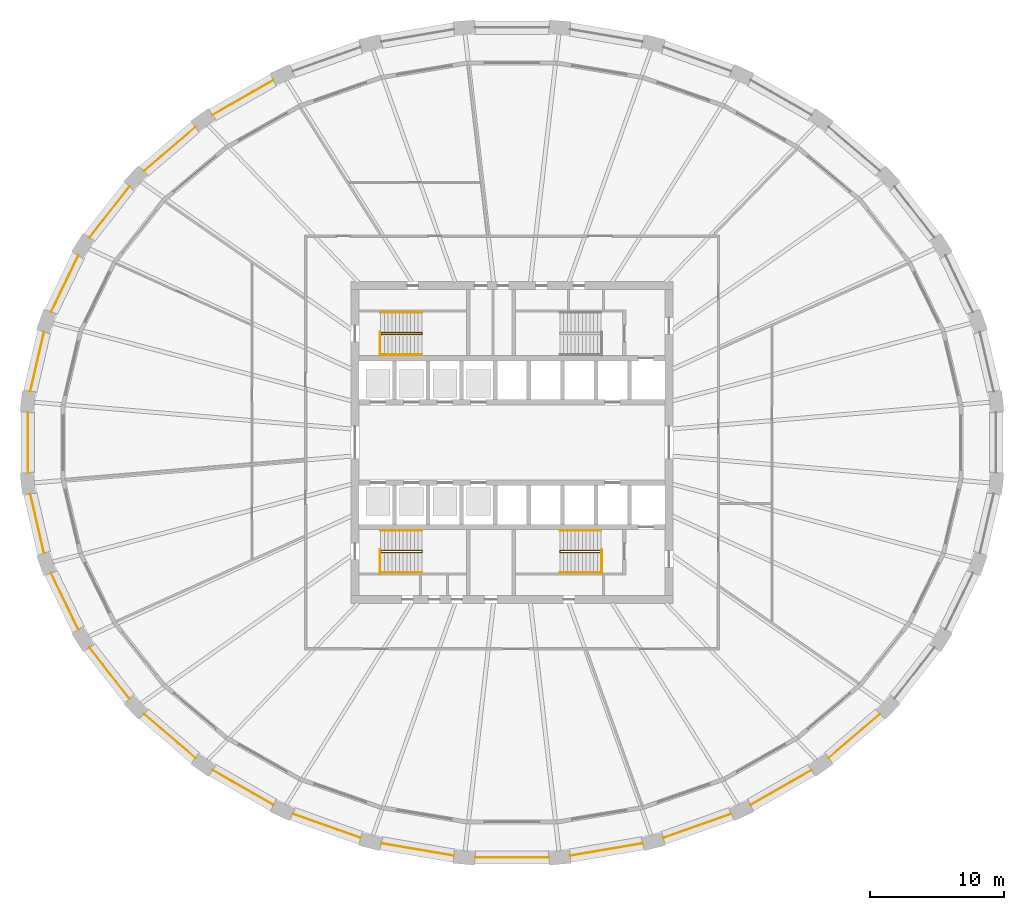
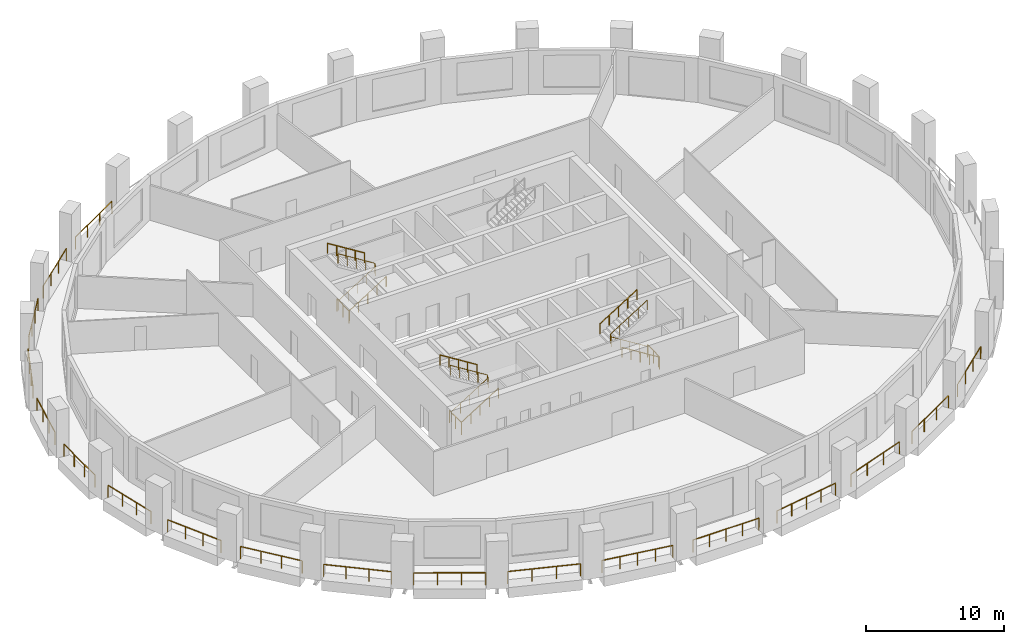
# One storey, part 8 of 10: 30 railings.
"""IFC4 building model written with IfcOpenShell, lengths in metres."""

from ifc_helpers import new_model, si_unit, direction, frame, origin, origin_2d, place, context, subcontext, project, spatial, circle, extrude, material, type_object, element, save


model = new_model("IFC4")

# Units and contexts
model_context = context("Model", 3, precision=1e-05, world=origin(), true_north=direction((0.0, 1.0)))
body_context = subcontext(model_context, "Body", "Model", "MODEL_VIEW")
ifc_project = project(units=[si_unit("LENGTHUNIT", "METRE"), si_unit("AREAUNIT", "SQUARE_METRE"), si_unit("VOLUMEUNIT", "CUBIC_METRE"), si_unit("PLANEANGLEUNIT", "RADIAN"), si_unit("MASSUNIT", "GRAM", prefix="KILO")], contexts=[model_context])

# Site, building, storey
site_placement = place(None, origin())
site = spatial("IfcSite", under=ifc_project, at=site_placement, CompositionType="ELEMENT")
building_placement = place(site_placement, origin())
building = spatial("IfcBuilding", under=site, at=building_placement, Name="Halqa Exchange Tower", CompositionType="ELEMENT")
storey_placement = place(building_placement, frame((0.0, 0.0, 90.699951171875)))
storey = spatial("IfcBuildingStorey", under=building, at=storey_placement, Name="L20", CompositionType="ELEMENT", Elevation=90.699951171875)

# Railings
ifc_material = material(Name="Stainless steel", Category="steel")
railing_type_1 = type_object("IfcRailingType", Name="Guard 1100 stainless steel", PredefinedType="GUARDRAIL", material=ifc_material)
railing_1_placement = place(storey_placement, frame((-17.801025390625, 27.034912109375, 0.0)))
element("IfcRailing", 1, at=railing_1_placement, inside=storey, type_object=railing_type_1, Name="Loggia guard 11", PredefinedType="GUARDRAIL", context=body_context, shape_type="SweptSolid", body=[
    extrude(circle(Radius=0.02392578125, at=origin_2d()), frame((0.0, 0.0, 1.076171875), z_axis=(-0.867755983437, -0.496990496096, 0.0), x_axis=(0.496990496096, -0.867755983437, 0.0)), (0.0, 0.0, 1.0), 5.216552734375),
    extrude(circle(Radius=0.02099609375, at=origin_2d()), origin(), (0.0, 0.0, 1.0), 1.052001953125),
    extrude(circle(Radius=0.02099609375, at=origin_2d()), frame((-1.5087890625, -0.8642578125, 0.0)), (0.0, 0.0, 1.0), 1.052001953125),
    extrude(circle(Radius=0.02099609375, at=origin_2d()), frame((-3.017822265625, -1.728271484375, 0.0)), (0.0, 0.0, 1.0), 1.052001953125),
    extrude(circle(Radius=0.02099609375, at=origin_2d()), frame((-4.526611328125, -2.592529296875, 0.0)), (0.0, 0.0, 1.0), 1.052001953125),
])
railing_2_placement = place(storey_placement, frame((-23.629150390625, 23.524169921875, 0.0)))
element("IfcRailing", 2, at=railing_2_placement, inside=storey, type_object=railing_type_1, Name="Loggia guard 12", PredefinedType="GUARDRAIL", context=body_context, shape_type="SweptSolid", body=[
    extrude(circle(Radius=0.02392578125, at=origin_2d()), frame((0.0, 0.0, 1.076171875), z_axis=(-0.759263460736, -0.650783371938, 0.0), x_axis=(0.650783371938, -0.759263460736, 0.0)), (0.0, 0.0, 1.0), 5.025390625),
    extrude(circle(Radius=0.02099609375, at=origin_2d()), origin(), (0.0, 0.0, 1.0), 1.052001953125),
    extrude(circle(Radius=0.02099609375, at=origin_2d()), frame((-1.27197265625, -1.090087890625, 0.0)), (0.0, 0.0, 1.0), 1.052001953125),
    extrude(circle(Radius=0.02099609375, at=origin_2d()), frame((-2.543701171875, -2.180419921875, 0.0)), (0.0, 0.0, 1.0), 1.052001953125),
    extrude(circle(Radius=0.02099609375, at=origin_2d()), frame((-3.815673828125, -3.2705078125, 0.0)), (0.0, 0.0, 1.0), 1.052001953125),
])
railing_3_placement = place(storey_placement, frame((-28.5439453125, 19.10205078125, 0.0)))
element("IfcRailing", 3, at=railing_3_placement, inside=storey, type_object=railing_type_1, Name="Loggia guard 13", PredefinedType="GUARDRAIL", context=body_context, shape_type="SweptSolid", body=[
    extrude(circle(Radius=0.02392578125, at=origin_2d()), frame((0.0, 0.0, 1.076171875), z_axis=(-0.614804814525, -0.788679301133, 0.0), x_axis=(0.788679301133, -0.614804814525, 0.0)), (0.0, 0.0, 1.0), 4.828857421875),
    extrude(circle(Radius=0.02099609375, at=origin_2d()), origin(), (0.0, 0.0, 1.0), 1.052001953125),
    extrude(circle(Radius=0.02099609375, at=origin_2d()), frame((-0.989501953125, -1.26953125, 0.0)), (0.0, 0.0, 1.0), 1.052001953125),
    extrude(circle(Radius=0.02099609375, at=origin_2d()), frame((-1.979248046875, -2.538818359375, 0.0)), (0.0, 0.0, 1.0), 1.052001953125),
    extrude(circle(Radius=0.02099609375, at=origin_2d()), frame((-2.96875, -3.808349609375, 0.0)), (0.0, 0.0, 1.0), 1.052001953125),
])
railing_4_placement = place(storey_placement, frame((-32.3525390625, 13.942626953125, 0.0)))
element("IfcRailing", 4, at=railing_4_placement, inside=storey, type_object=railing_type_1, Name="Loggia guard 14", PredefinedType="GUARDRAIL", context=body_context, shape_type="SweptSolid", body=[
    extrude(circle(Radius=0.02392578125, at=origin_2d()), frame((0.0, 0.0, 1.076171875), z_axis=(-0.435136078438, -0.900364700131, 0.0), x_axis=(0.900364700131, -0.435136078438, 0.0)), (0.0, 0.0, 1.0), 4.65673828125),
    extrude(circle(Radius=0.02099609375, at=origin_2d()), origin(), (0.0, 0.0, 1.0), 1.052001953125),
    extrude(circle(Radius=0.02099609375, at=origin_2d()), frame((-0.675537109375, -1.397705078125, 0.0)), (0.0, 0.0, 1.0), 1.052001953125),
    extrude(circle(Radius=0.02099609375, at=origin_2d()), frame((-1.350830078125, -2.795166015625, 0.0)), (0.0, 0.0, 1.0), 1.052001953125),
    extrude(circle(Radius=0.02099609375, at=origin_2d()), frame((-2.0263671875, -4.19287109375, 0.0)), (0.0, 0.0, 1.0), 1.052001953125),
])
railing_5_placement = place(storey_placement, frame((-34.90771484375, 8.25, 0.0)))
element("IfcRailing", 5, at=railing_5_placement, inside=storey, type_object=railing_type_1, Name="Loggia guard 15", PredefinedType="GUARDRAIL", context=body_context, shape_type="SweptSolid", body=[
    extrude(circle(Radius=0.02392578125, at=origin_2d()), frame((0.0, 0.0, 1.076171875), z_axis=(-0.226049512148, -0.974115813473, 0.0), x_axis=(0.974115813473, -0.226049512148, 0.0)), (0.0, 0.0, 1.0), 4.539306640625),
    extrude(circle(Radius=0.02099609375, at=origin_2d()), origin(), (0.0, 0.0, 1.0), 1.052001953125),
    extrude(circle(Radius=0.02099609375, at=origin_2d()), frame((-0.342041015625, -1.473876953125, 0.0)), (0.0, 0.0, 1.0), 1.052001953125),
    extrude(circle(Radius=0.02099609375, at=origin_2d()), frame((-0.68408203125, -2.947998046875, 0.0)), (0.0, 0.0, 1.0), 1.052001953125),
    extrude(circle(Radius=0.02099609375, at=origin_2d()), frame((-1.026123046875, -4.421875, 0.0)), (0.0, 0.0, 1.0), 1.052001953125),
])
railing_6_placement = place(storey_placement, frame((-36.11474609375, 2.248779296875, 0.0)))
element("IfcRailing", 6, at=railing_6_placement, inside=storey, type_object=railing_type_1, Name="Loggia guard 16", PredefinedType="GUARDRAIL", context=body_context, shape_type="SweptSolid", body=[
    extrude(circle(Radius=0.02392578125, at=origin_2d()), frame((0.0, 0.0, 1.076171875), z_axis=(0.0, -1.0, 0.0), x_axis=(1.0, 0.0, 0.0)), (0.0, 0.0, 1.0), 4.49755859375),
    extrude(circle(Radius=0.02099609375, at=origin_2d()), origin(), (0.0, 0.0, 1.0), 1.052001953125),
    extrude(circle(Radius=0.02099609375, at=origin_2d()), frame((0.0, -1.499267578125, 0.0)), (0.0, 0.0, 1.0), 1.052001953125),
    extrude(circle(Radius=0.02099609375, at=origin_2d()), frame((0.0, -2.998291015625, 0.0)), (0.0, 0.0, 1.0), 1.052001953125),
    extrude(circle(Radius=0.02099609375, at=origin_2d()), frame((0.0, -4.49755859375, 0.0)), (0.0, 0.0, 1.0), 1.052001953125),
])
railing_7_placement = place(storey_placement, frame((-35.933837890625, -3.828125, 0.0)))
element("IfcRailing", 7, at=railing_7_placement, inside=storey, type_object=railing_type_1, Name="Loggia guard 17", PredefinedType="GUARDRAIL", context=body_context, shape_type="SweptSolid", body=[
    extrude(circle(Radius=0.02392578125, at=origin_2d()), frame((0.0, 0.0, 1.076171875), z_axis=(0.226049512148, -0.974115813473, 0.0), x_axis=(0.974115813473, 0.226049512148, 0.0)), (0.0, 0.0, 1.0), 4.539306640625),
    extrude(circle(Radius=0.02099609375, at=origin_2d()), origin(), (0.0, 0.0, 1.0), 1.052001953125),
    extrude(circle(Radius=0.02099609375, at=origin_2d()), frame((0.342041015625, -1.473876953125, 0.0)), (0.0, 0.0, 1.0), 1.052001953125),
    extrude(circle(Radius=0.02099609375, at=origin_2d()), frame((0.68408203125, -2.947998046875, 0.0)), (0.0, 0.0, 1.0), 1.052001953125),
    extrude(circle(Radius=0.02099609375, at=origin_2d()), frame((1.026123046875, -4.421875, 0.0)), (0.0, 0.0, 1.0), 1.052001953125),
])
railing_8_placement = place(storey_placement, frame((-34.37890625, -9.749755859375, 0.0)))
element("IfcRailing", 8, at=railing_8_placement, inside=storey, type_object=railing_type_1, Name="Loggia guard 18", PredefinedType="GUARDRAIL", context=body_context, shape_type="SweptSolid", body=[
    extrude(circle(Radius=0.02392578125, at=origin_2d()), frame((0.0, 0.0, 1.076171875), z_axis=(0.435136078438, -0.900364700131, 0.0), x_axis=(0.900364700131, 0.435136078438, 0.0)), (0.0, 0.0, 1.0), 4.65673828125),
    extrude(circle(Radius=0.02099609375, at=origin_2d()), origin(), (0.0, 0.0, 1.0), 1.052001953125),
    extrude(circle(Radius=0.02099609375, at=origin_2d()), frame((0.675537109375, -1.397705078125, 0.0)), (0.0, 0.0, 1.0), 1.052001953125),
    extrude(circle(Radius=0.02099609375, at=origin_2d()), frame((1.350830078125, -2.795166015625, 0.0)), (0.0, 0.0, 1.0), 1.052001953125),
    extrude(circle(Radius=0.02099609375, at=origin_2d()), frame((2.0263671875, -4.19287109375, 0.0)), (0.0, 0.0, 1.0), 1.052001953125),
])
railing_9_placement = place(storey_placement, frame((-31.5126953125, -15.293701171875, 0.0)))
element("IfcRailing", 9, at=railing_9_placement, inside=storey, type_object=railing_type_1, Name="Loggia guard 19", PredefinedType="GUARDRAIL", context=body_context, shape_type="SweptSolid", body=[
    extrude(circle(Radius=0.02392578125, at=origin_2d()), frame((0.0, 0.0, 1.076171875), z_axis=(0.614804814525, -0.788679301133, 0.0), x_axis=(0.788679301133, 0.614804814525, 0.0)), (0.0, 0.0, 1.0), 4.828857421875),
    extrude(circle(Radius=0.02099609375, at=origin_2d()), origin(), (0.0, 0.0, 1.0), 1.052001953125),
    extrude(circle(Radius=0.02099609375, at=origin_2d()), frame((0.989501953125, -1.26953125, 0.0)), (0.0, 0.0, 1.0), 1.052001953125),
    extrude(circle(Radius=0.02099609375, at=origin_2d()), frame((1.979248046875, -2.538818359375, 0.0)), (0.0, 0.0, 1.0), 1.052001953125),
    extrude(circle(Radius=0.02099609375, at=origin_2d()), frame((2.96875, -3.808349609375, 0.0)), (0.0, 0.0, 1.0), 1.052001953125),
])
railing_10_placement = place(storey_placement, frame((-27.44482421875, -20.253662109375, 0.0)))
element("IfcRailing", 10, at=railing_10_placement, inside=storey, type_object=railing_type_1, Name="Loggia guard 20", PredefinedType="GUARDRAIL", context=body_context, shape_type="SweptSolid", body=[
    extrude(circle(Radius=0.02392578125, at=origin_2d()), frame((0.0, 0.0, 1.076171875), z_axis=(0.759263460736, -0.650783371938, 0.0), x_axis=(0.650783371938, 0.759263460736, 0.0)), (0.0, 0.0, 1.0), 5.025390625),
    extrude(circle(Radius=0.02099609375, at=origin_2d()), origin(), (0.0, 0.0, 1.0), 1.052001953125),
    extrude(circle(Radius=0.02099609375, at=origin_2d()), frame((1.27197265625, -1.090087890625, 0.0)), (0.0, 0.0, 1.0), 1.052001953125),
    extrude(circle(Radius=0.02099609375, at=origin_2d()), frame((2.543701171875, -2.180419921875, 0.0)), (0.0, 0.0, 1.0), 1.052001953125),
    extrude(circle(Radius=0.02099609375, at=origin_2d()), frame((3.815673828125, -3.2705078125, 0.0)), (0.0, 0.0, 1.0), 1.052001953125),
])
railing_11_placement = place(storey_placement, frame((-22.32763671875, -24.4423828125, 0.0)))
element("IfcRailing", 11, at=railing_11_placement, inside=storey, type_object=railing_type_1, Name="Loggia guard 21", PredefinedType="GUARDRAIL", context=body_context, shape_type="SweptSolid", body=[
    extrude(circle(Radius=0.02392578125, at=origin_2d()), frame((0.0, 0.0, 1.076171875), z_axis=(0.867755983437, -0.496990496096, 0.0), x_axis=(0.496990496096, 0.867755983437, 0.0)), (0.0, 0.0, 1.0), 5.216552734375),
    extrude(circle(Radius=0.02099609375, at=origin_2d()), origin(), (0.0, 0.0, 1.0), 1.052001953125),
    extrude(circle(Radius=0.02099609375, at=origin_2d()), frame((1.5087890625, -0.8642578125, 0.0)), (0.0, 0.0, 1.0), 1.052001953125),
    extrude(circle(Radius=0.02099609375, at=origin_2d()), frame((3.017822265625, -1.728271484375, 0.0)), (0.0, 0.0, 1.0), 1.052001953125),
    extrude(circle(Radius=0.02099609375, at=origin_2d()), frame((4.526611328125, -2.592529296875, 0.0)), (0.0, 0.0, 1.0), 1.052001953125),
])
railing_12_placement = place(storey_placement, frame((-16.352783203125, -27.7001953125, 0.0)))
element("IfcRailing", 12, at=railing_12_placement, inside=storey, type_object=railing_type_1, Name="Loggia guard 22", PredefinedType="GUARDRAIL", context=body_context, shape_type="SweptSolid", body=[
    extrude(circle(Radius=0.02392578125, at=origin_2d()), frame((0.0, 0.0, 1.076171875), z_axis=(0.942372313915, -0.334566020341, 0.0), x_axis=(0.334566020341, 0.942372313915, 0.0)), (0.0, 0.0, 1.0), 5.37451171875),
    extrude(circle(Radius=0.02099609375, at=origin_2d()), origin(), (0.0, 0.0, 1.0), 1.052001953125),
    extrude(circle(Radius=0.02099609375, at=origin_2d()), frame((1.688232421875, -0.599365234375, 0.0)), (0.0, 0.0, 1.0), 1.052001953125),
    extrude(circle(Radius=0.02099609375, at=origin_2d()), frame((3.37646484375, -1.19873046875, 0.0)), (0.0, 0.0, 1.0), 1.052001953125),
    extrude(circle(Radius=0.02099609375, at=origin_2d()), frame((5.064697265625, -1.798095703125, 0.0)), (0.0, 0.0, 1.0), 1.052001953125),
])
railing_13_placement = place(storey_placement, frame((-9.74560546875, -29.900390625, 0.0)))
element("IfcRailing", 13, at=railing_13_placement, inside=storey, type_object=railing_type_1, Name="Loggia guard 23", PredefinedType="GUARDRAIL", context=body_context, shape_type="SweptSolid", body=[
    extrude(circle(Radius=0.02392578125, at=origin_2d()), frame((0.0, 0.0, 1.076171875), z_axis=(0.985775171727, -0.168069363079, 0.0), x_axis=(0.168069363079, 0.985775171727, 0.0)), (0.0, 0.0, 1.0), 5.477783203125),
    extrude(circle(Radius=0.02099609375, at=origin_2d()), origin(), (0.0, 0.0, 1.0), 1.052001953125),
    extrude(circle(Radius=0.02099609375, at=origin_2d()), frame((1.35009765625, -0.230224609375, 0.0)), (0.0, 0.0, 1.0), 1.052001953125),
    extrude(circle(Radius=0.02099609375, at=origin_2d()), frame((2.699951171875, -0.46044921875, 0.0)), (0.0, 0.0, 1.0), 1.052001953125),
    extrude(circle(Radius=0.02099609375, at=origin_2d()), frame((4.0498046875, -0.6904296875, 0.0)), (0.0, 0.0, 1.0), 1.052001953125),
    extrude(circle(Radius=0.02099609375, at=origin_2d()), frame((5.39990234375, -0.920654296875, 0.0)), (0.0, 0.0, 1.0), 1.052001953125),
])
railing_14_placement = place(storey_placement, frame((-2.757080078125, -30.95556640625, 0.0)))
element("IfcRailing", 14, at=railing_14_placement, inside=storey, type_object=railing_type_1, Name="Loggia guard 24", PredefinedType="GUARDRAIL", context=body_context, shape_type="SweptSolid", body=[
    extrude(circle(Radius=0.02392578125, at=origin_2d()), frame((0.0, 0.0, 1.076171875), z_axis=(1.0, 0.0, 0.0), x_axis=(0.0, 1.0, 0.0)), (0.0, 0.0, 1.0), 5.51416015625),
    extrude(circle(Radius=0.02099609375, at=origin_2d()), origin(), (0.0, 0.0, 1.0), 1.052001953125),
    extrude(circle(Radius=0.02099609375, at=origin_2d()), frame((1.37841796875, 0.0, 0.0)), (0.0, 0.0, 1.0), 1.052001953125),
    extrude(circle(Radius=0.02099609375, at=origin_2d()), frame((2.757080078125, 0.0, 0.0)), (0.0, 0.0, 1.0), 1.052001953125),
    extrude(circle(Radius=0.02099609375, at=origin_2d()), frame((4.1357421875, 0.0, 0.0)), (0.0, 0.0, 1.0), 1.052001953125),
    extrude(circle(Radius=0.02099609375, at=origin_2d()), frame((5.51416015625, 0.0, 0.0)), (0.0, 0.0, 1.0), 1.052001953125),
])
railing_15_placement = place(storey_placement, frame((4.345703125, -30.821044921875, 0.0)))
element("IfcRailing", 15, at=railing_15_placement, inside=storey, type_object=railing_type_1, Name="Loggia guard 25", PredefinedType="GUARDRAIL", context=body_context, shape_type="SweptSolid", body=[
    extrude(circle(Radius=0.02392578125, at=origin_2d()), frame((0.0, 0.0, 1.076171875), z_axis=(0.985775171727, 0.168069363079, 0.0), x_axis=(-0.168069363079, 0.985775171727, 0.0)), (0.0, 0.0, 1.0), 5.477783203125),
    extrude(circle(Radius=0.02099609375, at=origin_2d()), origin(), (0.0, 0.0, 1.0), 1.052001953125),
    extrude(circle(Radius=0.02099609375, at=origin_2d()), frame((1.35009765625, 0.230224609375, 0.0)), (0.0, 0.0, 1.0), 1.052001953125),
    extrude(circle(Radius=0.02099609375, at=origin_2d()), frame((2.699951171875, 0.46044921875, 0.0)), (0.0, 0.0, 1.0), 1.052001953125),
    extrude(circle(Radius=0.02099609375, at=origin_2d()), frame((4.0498046875, 0.6904296875, 0.0)), (0.0, 0.0, 1.0), 1.052001953125),
    extrude(circle(Radius=0.02099609375, at=origin_2d()), frame((5.39990234375, 0.920654296875, 0.0)), (0.0, 0.0, 1.0), 1.052001953125),
])
railing_16_placement = place(storey_placement, frame((11.2880859375, -29.498291015625, 0.0)))
element("IfcRailing", 16, at=railing_16_placement, inside=storey, type_object=railing_type_1, Name="Loggia guard 26", PredefinedType="GUARDRAIL", context=body_context, shape_type="SweptSolid", body=[
    extrude(circle(Radius=0.02392578125, at=origin_2d()), frame((0.0, 0.0, 1.076171875), z_axis=(0.942372313915, 0.334566020341, 0.0), x_axis=(-0.334566020341, 0.942372313915, 0.0)), (0.0, 0.0, 1.0), 5.37451171875),
    extrude(circle(Radius=0.02099609375, at=origin_2d()), origin(), (0.0, 0.0, 1.0), 1.052001953125),
    extrude(circle(Radius=0.02099609375, at=origin_2d()), frame((1.688232421875, 0.599365234375, 0.0)), (0.0, 0.0, 1.0), 1.052001953125),
    extrude(circle(Radius=0.02099609375, at=origin_2d()), frame((3.37646484375, 1.19873046875, 0.0)), (0.0, 0.0, 1.0), 1.052001953125),
    extrude(circle(Radius=0.02099609375, at=origin_2d()), frame((5.064697265625, 1.798095703125, 0.0)), (0.0, 0.0, 1.0), 1.052001953125),
])
railing_17_placement = place(storey_placement, frame((17.801025390625, -27.034912109375, 0.0)))
element("IfcRailing", 17, at=railing_17_placement, inside=storey, type_object=railing_type_1, Name="Loggia guard 27", PredefinedType="GUARDRAIL", context=body_context, shape_type="SweptSolid", body=[
    extrude(circle(Radius=0.02392578125, at=origin_2d()), frame((0.0, 0.0, 1.076171875), z_axis=(0.867755983437, 0.496990496096, 0.0), x_axis=(-0.496990496096, 0.867755983437, 0.0)), (0.0, 0.0, 1.0), 5.216552734375),
    extrude(circle(Radius=0.02099609375, at=origin_2d()), origin(), (0.0, 0.0, 1.0), 1.052001953125),
    extrude(circle(Radius=0.02099609375, at=origin_2d()), frame((1.5087890625, 0.8642578125, 0.0)), (0.0, 0.0, 1.0), 1.052001953125),
    extrude(circle(Radius=0.02099609375, at=origin_2d()), frame((3.017822265625, 1.728271484375, 0.0)), (0.0, 0.0, 1.0), 1.052001953125),
    extrude(circle(Radius=0.02099609375, at=origin_2d()), frame((4.526611328125, 2.592529296875, 0.0)), (0.0, 0.0, 1.0), 1.052001953125),
])
railing_18_placement = place(storey_placement, frame((23.629150390625, -23.524169921875, 0.0)))
element("IfcRailing", 18, at=railing_18_placement, inside=storey, type_object=railing_type_1, Name="Loggia guard 28", PredefinedType="GUARDRAIL", context=body_context, shape_type="SweptSolid", body=[
    extrude(circle(Radius=0.02392578125, at=origin_2d()), frame((0.0, 0.0, 1.076171875), z_axis=(0.759263460736, 0.650783371938, 0.0), x_axis=(-0.650783371938, 0.759263460736, 0.0)), (0.0, 0.0, 1.0), 5.025390625),
    extrude(circle(Radius=0.02099609375, at=origin_2d()), origin(), (0.0, 0.0, 1.0), 1.052001953125),
    extrude(circle(Radius=0.02099609375, at=origin_2d()), frame((1.27197265625, 1.090087890625, 0.0)), (0.0, 0.0, 1.0), 1.052001953125),
    extrude(circle(Radius=0.02099609375, at=origin_2d()), frame((2.543701171875, 2.180419921875, 0.0)), (0.0, 0.0, 1.0), 1.052001953125),
    extrude(circle(Radius=0.02099609375, at=origin_2d()), frame((3.815673828125, 3.2705078125, 0.0)), (0.0, 0.0, 1.0), 1.052001953125),
])
railing_type_2 = type_object("IfcRailingType", Name="Stair handrail 900", PredefinedType="HANDRAIL", material=ifc_material)
railing_19_placement = place(storey_placement, frame((-9.800048828125, 8.06005859375, 0.175048828125)))
element("IfcRailing", 19, at=railing_19_placement, inside=storey, type_object=railing_type_2, Name="Handrail ST1.1", PredefinedType="HANDRAIL", context=body_context, shape_type="SweptSolid", body=[
    extrude(circle(Radius=0.02392578125, at=origin_2d()), frame((0.0, 0.0, 0.8759765625), z_axis=(0.847998304005, 0.0, 0.529998940003), x_axis=(0.0, 1.0, 0.0)), (0.0, 0.0, 1.0), 3.632080078125),
    extrude(circle(Radius=0.02392578125, at=origin_2d()), frame((3.080078125, 0.0, 2.80078125), z_axis=(0.0, 0.595870227118, 0.803080738428), x_axis=(-1.0, 0.0, 0.0)), (0.0, 0.0, 1.0), 0.218017578125),
    extrude(circle(Radius=0.02392578125, at=origin_2d()), frame((3.080078125, 0.1298828125, 2.97607421875), z_axis=(-0.848028513186, 0.0, 0.529950602248), x_axis=(0.0, -1.0, 0.0)), (0.0, 0.0, 1.0), 3.632080078125),
    extrude(circle(Radius=0.02099609375, at=origin_2d()), origin(), (0.0, 0.0, 1.0), 0.851806640625),
    extrude(circle(Radius=0.02099609375, at=origin_2d()), frame((0.77001953125, 0.0, 0.481201171875)), (0.0, 0.0, 1.0), 0.851806640625),
    extrude(circle(Radius=0.02099609375, at=origin_2d()), frame((1.5400390625, 0.0, 0.96240234375)), (0.0, 0.0, 1.0), 0.851806640625),
    extrude(circle(Radius=0.02099609375, at=origin_2d()), frame((2.31005859375, 0.0, 1.44384765625)), (0.0, 0.0, 1.0), 0.851806640625),
    extrude(circle(Radius=0.02099609375, at=origin_2d()), frame((3.080078125, 0.0, 1.925048828125)), (0.0, 0.0, 1.0), 0.851806640625),
    extrude(circle(Radius=0.02099609375, at=origin_2d()), frame((3.080078125, 0.1298828125, 2.10009765625)), (0.0, 0.0, 1.0), 0.851806640625),
    extrude(circle(Radius=0.02099609375, at=origin_2d()), frame((2.31005859375, 0.1298828125, 2.581298828125)), (0.0, 0.0, 1.0), 0.851806640625),
    extrude(circle(Radius=0.02099609375, at=origin_2d()), frame((1.5400390625, 0.1298828125, 3.0625)), (0.0, 0.0, 1.0), 0.851806640625),
    extrude(circle(Radius=0.02099609375, at=origin_2d()), frame((0.77001953125, 0.1298828125, 3.543701171875)), (0.0, 0.0, 1.0), 0.851806640625),
    extrude(circle(Radius=0.02099609375, at=origin_2d()), frame((0.0, 0.1298828125, 4.02490234375)), (0.0, 0.0, 1.0), 0.851806640625),
])
railing_20_placement = place(storey_placement, frame((-9.800048828125, 6.550048828125, 0.175048828125)))
element("IfcRailing", 20, at=railing_20_placement, inside=storey, type_object=railing_type_2, Name="Handrail ST1.2", PredefinedType="HANDRAIL", context=body_context, shape_type="SweptSolid", body=[
    extrude(circle(Radius=0.02392578125, at=origin_2d()), frame((0.0, 0.0, 0.8759765625), z_axis=(0.847998304005, 0.0, 0.529998940003), x_axis=(0.0, 1.0, 0.0)), (0.0, 0.0, 1.0), 3.632080078125),
    extrude(circle(Radius=0.02099609375, at=origin_2d()), origin(), (0.0, 0.0, 1.0), 0.851806640625),
    extrude(circle(Radius=0.02099609375, at=origin_2d()), frame((0.77001953125, 0.0, 0.481201171875)), (0.0, 0.0, 1.0), 0.851806640625),
    extrude(circle(Radius=0.02099609375, at=origin_2d()), frame((1.5400390625, 0.0, 0.96240234375)), (0.0, 0.0, 1.0), 0.851806640625),
    extrude(circle(Radius=0.02099609375, at=origin_2d()), frame((2.31005859375, 0.0, 1.44384765625)), (0.0, 0.0, 1.0), 0.851806640625),
    extrude(circle(Radius=0.02099609375, at=origin_2d()), frame((3.080078125, 0.0, 1.925048828125)), (0.0, 0.0, 1.0), 0.851806640625),
])
railing_21_placement = place(storey_placement, frame((-6.719970703125, 9.699951171875, 2.275146484375)))
element("IfcRailing", 21, at=railing_21_placement, inside=storey, type_object=railing_type_2, Name="Handrail ST1.3", PredefinedType="HANDRAIL", context=body_context, shape_type="SweptSolid", body=[
    extrude(circle(Radius=0.02392578125, at=origin_2d()), frame((0.0, 0.0, 0.8759765625), z_axis=(-0.848028513186, 0.0, 0.529950602248), x_axis=(0.0, -1.0, 0.0)), (0.0, 0.0, 1.0), 3.632080078125),
    extrude(circle(Radius=0.02099609375, at=origin_2d()), origin(), (0.0, 0.0, 1.0), 0.851806640625),
    extrude(circle(Radius=0.02099609375, at=origin_2d()), frame((-0.77001953125, 0.0, 0.481201171875)), (0.0, 0.0, 1.0), 0.851806640625),
    extrude(circle(Radius=0.02099609375, at=origin_2d()), frame((-1.5400390625, 0.0, 0.96240234375)), (0.0, 0.0, 1.0), 0.851806640625),
    extrude(circle(Radius=0.02099609375, at=origin_2d()), frame((-2.31005859375, 0.0, 1.443603515625)), (0.0, 0.0, 1.0), 0.851806640625),
    extrude(circle(Radius=0.02099609375, at=origin_2d()), frame((-3.080078125, 0.0, 1.9248046875)), (0.0, 0.0, 1.0), 0.851806640625),
])
railing_22_placement = place(storey_placement, frame((-9.800048828125, -8.18994140625, 0.175048828125)))
element("IfcRailing", 22, at=railing_22_placement, inside=storey, type_object=railing_type_2, Name="Handrail ST3.1", PredefinedType="HANDRAIL", context=body_context, shape_type="SweptSolid", body=[
    extrude(circle(Radius=0.02392578125, at=origin_2d()), frame((0.0, 0.0, 0.8759765625), z_axis=(0.847998304005, 0.0, 0.529998940003), x_axis=(0.0, 1.0, 0.0)), (0.0, 0.0, 1.0), 3.632080078125),
    extrude(circle(Radius=0.02392578125, at=origin_2d()), frame((3.080078125, 0.0, 2.80078125), z_axis=(0.0, 0.595870227118, 0.803080738428), x_axis=(-1.0, 0.0, 0.0)), (0.0, 0.0, 1.0), 0.218017578125),
    extrude(circle(Radius=0.02392578125, at=origin_2d()), frame((3.080078125, 0.1298828125, 2.97607421875), z_axis=(-0.848028513186, 0.0, 0.529950602248), x_axis=(0.0, -1.0, 0.0)), (0.0, 0.0, 1.0), 3.632080078125),
    extrude(circle(Radius=0.02099609375, at=origin_2d()), origin(), (0.0, 0.0, 1.0), 0.851806640625),
    extrude(circle(Radius=0.02099609375, at=origin_2d()), frame((0.77001953125, 0.0, 0.481201171875)), (0.0, 0.0, 1.0), 0.851806640625),
    extrude(circle(Radius=0.02099609375, at=origin_2d()), frame((1.5400390625, 0.0, 0.96240234375)), (0.0, 0.0, 1.0), 0.851806640625),
    extrude(circle(Radius=0.02099609375, at=origin_2d()), frame((2.31005859375, 0.0, 1.44384765625)), (0.0, 0.0, 1.0), 0.851806640625),
    extrude(circle(Radius=0.02099609375, at=origin_2d()), frame((3.080078125, 0.0, 1.925048828125)), (0.0, 0.0, 1.0), 0.851806640625),
    extrude(circle(Radius=0.02099609375, at=origin_2d()), frame((3.080078125, 0.1298828125, 2.10009765625)), (0.0, 0.0, 1.0), 0.851806640625),
    extrude(circle(Radius=0.02099609375, at=origin_2d()), frame((2.31005859375, 0.1298828125, 2.581298828125)), (0.0, 0.0, 1.0), 0.851806640625),
    extrude(circle(Radius=0.02099609375, at=origin_2d()), frame((1.5400390625, 0.1298828125, 3.0625)), (0.0, 0.0, 1.0), 0.851806640625),
    extrude(circle(Radius=0.02099609375, at=origin_2d()), frame((0.77001953125, 0.1298828125, 3.543701171875)), (0.0, 0.0, 1.0), 0.851806640625),
    extrude(circle(Radius=0.02099609375, at=origin_2d()), frame((0.0, 0.1298828125, 4.02490234375)), (0.0, 0.0, 1.0), 0.851806640625),
])
railing_23_placement = place(storey_placement, frame((-9.800048828125, -9.699951171875, 0.175048828125)))
element("IfcRailing", 23, at=railing_23_placement, inside=storey, type_object=railing_type_2, Name="Handrail ST3.2", PredefinedType="HANDRAIL", context=body_context, shape_type="SweptSolid", body=[
    extrude(circle(Radius=0.02392578125, at=origin_2d()), frame((0.0, 0.0, 0.8759765625), z_axis=(0.847998304005, 0.0, 0.529998940003), x_axis=(0.0, 1.0, 0.0)), (0.0, 0.0, 1.0), 3.632080078125),
    extrude(circle(Radius=0.02099609375, at=origin_2d()), origin(), (0.0, 0.0, 1.0), 0.851806640625),
    extrude(circle(Radius=0.02099609375, at=origin_2d()), frame((0.77001953125, 0.0, 0.481201171875)), (0.0, 0.0, 1.0), 0.851806640625),
    extrude(circle(Radius=0.02099609375, at=origin_2d()), frame((1.5400390625, 0.0, 0.96240234375)), (0.0, 0.0, 1.0), 0.851806640625),
    extrude(circle(Radius=0.02099609375, at=origin_2d()), frame((2.31005859375, 0.0, 1.44384765625)), (0.0, 0.0, 1.0), 0.851806640625),
    extrude(circle(Radius=0.02099609375, at=origin_2d()), frame((3.080078125, 0.0, 1.925048828125)), (0.0, 0.0, 1.0), 0.851806640625),
])
railing_24_placement = place(storey_placement, frame((-6.719970703125, -6.550048828125, 2.275146484375)))
element("IfcRailing", 24, at=railing_24_placement, inside=storey, type_object=railing_type_2, Name="Handrail ST3.3", PredefinedType="HANDRAIL", context=body_context, shape_type="SweptSolid", body=[
    extrude(circle(Radius=0.02392578125, at=origin_2d()), frame((0.0, 0.0, 0.8759765625), z_axis=(-0.848028513186, 0.0, 0.529950602248), x_axis=(0.0, -1.0, 0.0)), (0.0, 0.0, 1.0), 3.632080078125),
    extrude(circle(Radius=0.02099609375, at=origin_2d()), origin(), (0.0, 0.0, 1.0), 0.851806640625),
    extrude(circle(Radius=0.02099609375, at=origin_2d()), frame((-0.77001953125, 0.0, 0.481201171875)), (0.0, 0.0, 1.0), 0.851806640625),
    extrude(circle(Radius=0.02099609375, at=origin_2d()), frame((-1.5400390625, 0.0, 0.96240234375)), (0.0, 0.0, 1.0), 0.851806640625),
    extrude(circle(Radius=0.02099609375, at=origin_2d()), frame((-2.31005859375, 0.0, 1.443603515625)), (0.0, 0.0, 1.0), 0.851806640625),
    extrude(circle(Radius=0.02099609375, at=origin_2d()), frame((-3.080078125, 0.0, 1.9248046875)), (0.0, 0.0, 1.0), 0.851806640625),
])
railing_25_placement = place(storey_placement, frame((6.64990234375, -8.18994140625, 0.175048828125)))
element("IfcRailing", 25, at=railing_25_placement, inside=storey, type_object=railing_type_2, Name="Handrail ST4.1", PredefinedType="HANDRAIL", context=body_context, shape_type="SweptSolid", body=[
    extrude(circle(Radius=0.02392578125, at=origin_2d()), frame((0.0, 0.0, 0.8759765625), z_axis=(-0.847979421464, 0.0, 0.530029150871), x_axis=(0.0, -1.0, 0.0)), (0.0, 0.0, 1.0), 3.632080078125),
    extrude(circle(Radius=0.02392578125, at=origin_2d()), frame((-3.079833984375, 0.0, 2.80078125), z_axis=(0.0, 0.595870227118, 0.803080738428), x_axis=(-1.0, 0.0, 0.0)), (0.0, 0.0, 1.0), 0.218017578125),
    extrude(circle(Radius=0.02392578125, at=origin_2d()), frame((-3.079833984375, 0.1298828125, 2.97607421875), z_axis=(0.848009633417, 0.0, 0.529980812513), x_axis=(0.0, 1.0, 0.0)), (0.0, 0.0, 1.0), 3.6318359375),
    extrude(circle(Radius=0.02099609375, at=origin_2d()), origin(), (0.0, 0.0, 1.0), 0.851806640625),
    extrude(circle(Radius=0.02099609375, at=origin_2d()), frame((-0.77001953125, 0.0, 0.481201171875)), (0.0, 0.0, 1.0), 0.851806640625),
    extrude(circle(Radius=0.02099609375, at=origin_2d()), frame((-1.5400390625, 0.0, 0.96240234375)), (0.0, 0.0, 1.0), 0.851806640625),
    extrude(circle(Radius=0.02099609375, at=origin_2d()), frame((-2.309814453125, 0.0, 1.44384765625)), (0.0, 0.0, 1.0), 0.851806640625),
    extrude(circle(Radius=0.02099609375, at=origin_2d()), frame((-3.079833984375, 0.0, 1.925048828125)), (0.0, 0.0, 1.0), 0.851806640625),
    extrude(circle(Radius=0.02099609375, at=origin_2d()), frame((-3.079833984375, 0.1298828125, 2.10009765625)), (0.0, 0.0, 1.0), 0.851806640625),
    extrude(circle(Radius=0.02099609375, at=origin_2d()), frame((-2.309814453125, 0.1298828125, 2.581298828125)), (0.0, 0.0, 1.0), 0.851806640625),
    extrude(circle(Radius=0.02099609375, at=origin_2d()), frame((-1.5400390625, 0.1298828125, 3.0625)), (0.0, 0.0, 1.0), 0.851806640625),
    extrude(circle(Radius=0.02099609375, at=origin_2d()), frame((-0.77001953125, 0.1298828125, 3.543701171875)), (0.0, 0.0, 1.0), 0.851806640625),
    extrude(circle(Radius=0.02099609375, at=origin_2d()), frame((0.0, 0.1298828125, 4.02490234375)), (0.0, 0.0, 1.0), 0.851806640625),
])
railing_26_placement = place(storey_placement, frame((6.64990234375, -9.699951171875, 0.175048828125)))
element("IfcRailing", 26, at=railing_26_placement, inside=storey, type_object=railing_type_2, Name="Handrail ST4.2", PredefinedType="HANDRAIL", context=body_context, shape_type="SweptSolid", body=[
    extrude(circle(Radius=0.02392578125, at=origin_2d()), frame((0.0, 0.0, 0.8759765625), z_axis=(-0.847979421464, 0.0, 0.530029150871), x_axis=(0.0, -1.0, 0.0)), (0.0, 0.0, 1.0), 3.632080078125),
    extrude(circle(Radius=0.02099609375, at=origin_2d()), origin(), (0.0, 0.0, 1.0), 0.851806640625),
    extrude(circle(Radius=0.02099609375, at=origin_2d()), frame((-0.77001953125, 0.0, 0.481201171875)), (0.0, 0.0, 1.0), 0.851806640625),
    extrude(circle(Radius=0.02099609375, at=origin_2d()), frame((-1.5400390625, 0.0, 0.96240234375)), (0.0, 0.0, 1.0), 0.851806640625),
    extrude(circle(Radius=0.02099609375, at=origin_2d()), frame((-2.309814453125, 0.0, 1.44384765625)), (0.0, 0.0, 1.0), 0.851806640625),
    extrude(circle(Radius=0.02099609375, at=origin_2d()), frame((-3.079833984375, 0.0, 1.925048828125)), (0.0, 0.0, 1.0), 0.851806640625),
])
railing_27_placement = place(storey_placement, frame((3.570068359375, -6.550048828125, 2.275146484375)))
element("IfcRailing", 27, at=railing_27_placement, inside=storey, type_object=railing_type_2, Name="Handrail ST4.3", PredefinedType="HANDRAIL", context=body_context, shape_type="SweptSolid", body=[
    extrude(circle(Radius=0.02392578125, at=origin_2d()), frame((0.0, 0.0, 0.8759765625), z_axis=(0.848009633417, 0.0, 0.529980812513), x_axis=(0.0, 1.0, 0.0)), (0.0, 0.0, 1.0), 3.6318359375),
    extrude(circle(Radius=0.02099609375, at=origin_2d()), origin(), (0.0, 0.0, 1.0), 0.851806640625),
    extrude(circle(Radius=0.02099609375, at=origin_2d()), frame((0.77001953125, 0.0, 0.481201171875)), (0.0, 0.0, 1.0), 0.851806640625),
    extrude(circle(Radius=0.02099609375, at=origin_2d()), frame((1.5400390625, 0.0, 0.96240234375)), (0.0, 0.0, 1.0), 0.851806640625),
    extrude(circle(Radius=0.02099609375, at=origin_2d()), frame((2.309814453125, 0.0, 1.443603515625)), (0.0, 0.0, 1.0), 0.851806640625),
    extrude(circle(Radius=0.02099609375, at=origin_2d()), frame((3.079833984375, 0.0, 1.9248046875)), (0.0, 0.0, 1.0), 0.851806640625),
])
railing_type_3 = type_object("IfcRailingType", Name="Stair well guard 1100", PredefinedType="GUARDRAIL", material=ifc_material)
for number, where, name in (
    (28, (-9.85009765625, 6.5, 0.0), "Guard ST1 well"),
    (29, (-9.85009765625, -9.75, 0.0), "Guard ST3 well"),
    (30, (6.699951171875, -9.75, 0.0), "Guard ST4 well"),
):
    element("IfcRailing", number, at=place(storey_placement, frame(where)), inside=storey, type_object=railing_type_3, Name=name, PredefinedType="GUARDRAIL", context=body_context, shape_type="SweptSolid", body=[
        extrude(circle(Radius=0.02392578125, at=origin_2d()), frame((0.0, 0.0, 1.076171875), z_axis=(0.0, 1.0, 0.0), x_axis=(-1.0, 0.0, 0.0)), (0.0, 0.0, 1.0), 1.75),
        extrude(circle(Radius=0.02099609375, at=origin_2d()), origin(), (0.0, 0.0, 1.0), 1.052001953125),
        extrude(circle(Radius=0.02099609375, at=origin_2d()), frame((0.0, 0.875, 0.0)), (0.0, 0.0, 1.0), 1.052001953125),
        extrude(circle(Radius=0.02099609375, at=origin_2d()), frame((0.0, 1.75, 0.0)), (0.0, 0.0, 1.0), 1.052001953125),
    ])

save(model, "model.ifc")
